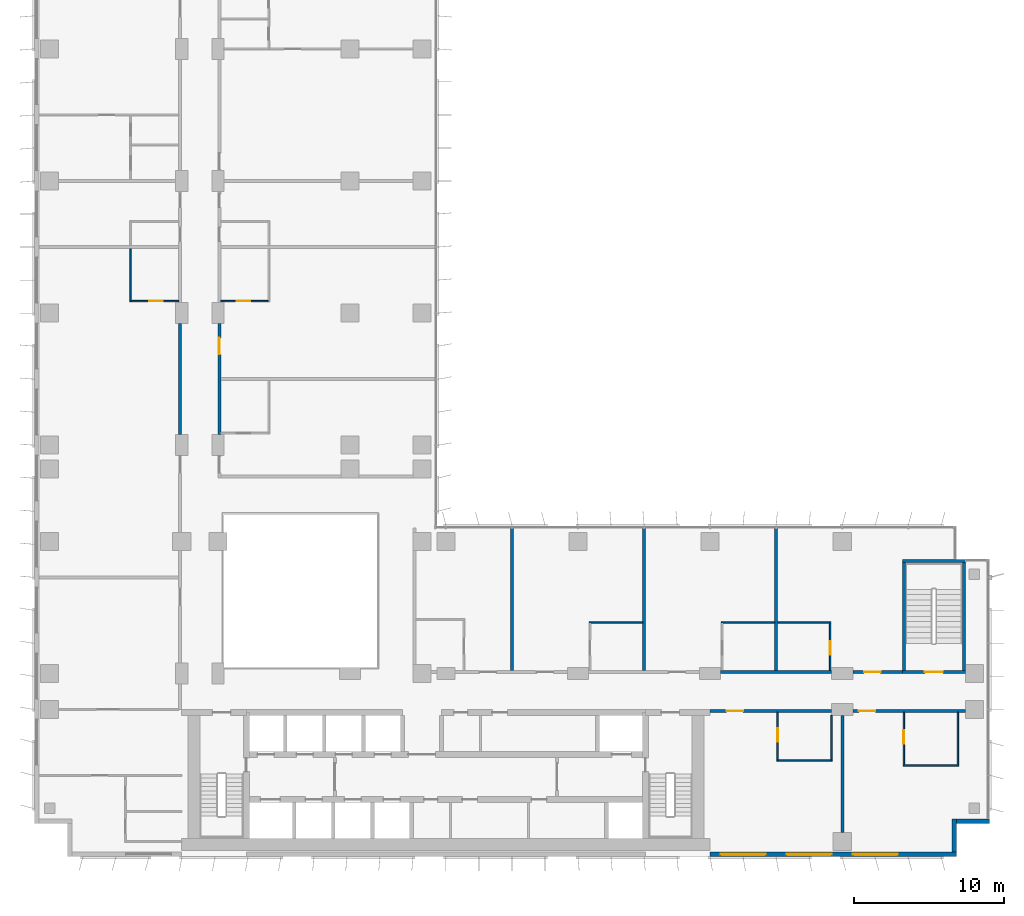
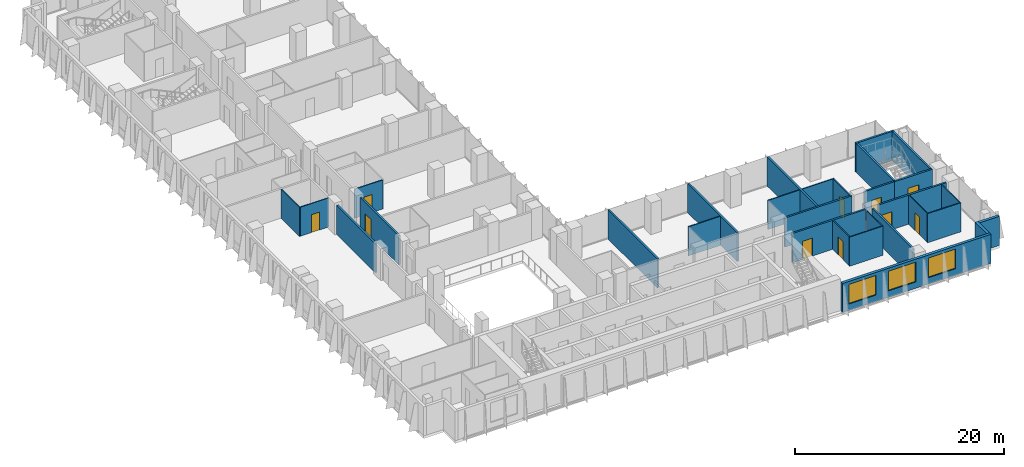
# One storey, part 14 of 22: 30 walls, 10 doors, 3 windows, 13 openings.
"""IFC4 building model written with IfcOpenShell, lengths in metres."""

from ifc_helpers import new_model, si_unit, direction, frame, frame_2d, origin, place, context, subcontext, project, spatial, rectangle, extrude, material, layer, layer_set, type_object, element, fill, save


model = new_model("IFC4")

# Units and contexts
model_context = context("Model", 3, precision=1e-05, world=origin(), true_north=direction((0.0, 1.0)))
body_context = subcontext(model_context, "Body", "Model", "MODEL_VIEW")
ifc_project = project(units=[si_unit("LENGTHUNIT", "METRE"), si_unit("AREAUNIT", "SQUARE_METRE"), si_unit("VOLUMEUNIT", "CUBIC_METRE"), si_unit("PLANEANGLEUNIT", "RADIAN"), si_unit("MASSUNIT", "GRAM", prefix="KILO")], contexts=[model_context])

# Site, building, storey
site_placement = place(None, origin())
site = spatial("IfcSite", under=ifc_project, at=site_placement, CompositionType="ELEMENT")
building_placement = place(site_placement, origin())
building = spatial("IfcBuilding", under=site, at=building_placement, Name="Kemantara Hotel Tower", CompositionType="ELEMENT")
storey_placement = place(building_placement, frame((0.0, 0.0, 125.89990234375)))
storey = spatial("IfcBuildingStorey", under=building, at=storey_placement, Name="L30", CompositionType="ELEMENT", Elevation=125.89990234375)

# Wall, openings, windows
ifc_material_1 = material(Name="Bronze anodised aluminium cladding on insulated steel stud wall", Category="steel")
ifc_layer_1 = layer(ifc_material_1, 0.300048828125)
ifc_layer_set_1 = layer_set([ifc_layer_1], Name="Bronze anodised aluminium cladding on insulated steel stud wall")
wall_type_1 = type_object("IfcWallType", Name="BRONZE METAL-CLAD EXTERNAL WALL 300", PredefinedType="STANDARD", material=ifc_layer_set_1)
wall_1_placement = place(storey_placement, frame((45.0, 0.14990234375, 0.0), z_axis=(0.0, 0.0, 1.0), x_axis=(1.0, 0.0, 0.0)))
wall_1 = element("IfcWall", 1, at=wall_1_placement, inside=storey, type_object=wall_type_1, Name="EXTERNAL WALL L30 T2-R07-3", PredefinedType="STANDARD", context=body_context, shape_type="SweptSolid", body=[
    extrude(rectangle(XDim=16.39990234375, YDim=0.300048828125, at=frame_2d((8.199951171875, 0.0))), origin(), (0.0, 0.0, 1.0), 3.400146484375),
])
opening_1_placement = place(wall_1_placement, frame((0.699951171875, 0.0, 0.75)))
opening_1 = element("IfcOpeningElement", 2, at=opening_1_placement, cuts=wall_1, Name="Opening W1", PredefinedType="OPENING", context=body_context, shape_type="SweptSolid", body=[
    extrude(rectangle(XDim=3.0, YDim=2.300048828125, at=frame_2d((1.5, 1.14990234375))), frame((0.0, 0.159912109375, 0.0), z_axis=(0.0, -1.0, 0.0), x_axis=(1.0, 0.0, 0.0)), (0.0, 0.0, 1.0), 0.320068359375),
])
opening_2_placement = place(wall_1_placement, frame((5.10009765625, 0.0, 0.75)))
opening_2 = element("IfcOpeningElement", 3, at=opening_2_placement, cuts=wall_1, Name="Opening W1", PredefinedType="OPENING", context=body_context, shape_type="SweptSolid", body=[
    extrude(rectangle(XDim=3.0, YDim=2.300048828125, at=frame_2d((1.5, 1.14990234375))), frame((0.0, 0.159912109375, 0.0), z_axis=(0.0, -1.0, 0.0), x_axis=(1.0, 0.0, 0.0)), (0.0, 0.0, 1.0), 0.320068359375),
])
opening_3_placement = place(wall_1_placement, frame((9.5, 0.0, 0.75)))
opening_3 = element("IfcOpeningElement", 4, at=opening_3_placement, cuts=wall_1, Name="Opening W1", PredefinedType="OPENING", context=body_context, shape_type="SweptSolid", body=[
    extrude(rectangle(XDim=3.0, YDim=2.300048828125, at=frame_2d((1.5, 1.14990234375))), frame((0.0, 0.159912109375, 0.0), z_axis=(0.0, -1.0, 0.0), x_axis=(1.0, 0.0, 0.0)), (0.0, 0.0, 1.0), 0.320068359375),
])
ifc_material_2 = material(Name="Low-E tinted double insulated glass in bronze anodised aluminium frame", Category="aluminium")
window_type = type_object("IfcWindowType", Name="CHICAGO WINDOW, TRIPLE PANEL 3000x2300", PartitioningType="TRIPLE_PANEL_VERTICAL", PredefinedType="WINDOW", material=ifc_material_2)
window_1_placement = place(opening_1_placement, origin())
window_1 = element("IfcWindow", 5, at=window_1_placement, inside=storey, type_object=window_type, Name="CHICAGO WINDOW L30 T2-R07-450", OverallHeight=2.300048828125, OverallWidth=3.0, PartitioningType="SINGLE_PANEL", PredefinedType="WINDOW", context=body_context, shape_type="SweptSolid", body=[
    extrude(rectangle(XDim=3.0, YDim=2.300048828125, at=frame_2d((1.5, 1.14990234375))), frame((0.0, 0.030029296875, 0.0), z_axis=(0.0, -1.0, 0.0), x_axis=(1.0, 0.0, 0.0)), (0.0, 0.0, 1.0), 0.06005859375),
])
fill(opening_1, window_1)
window_2_placement = place(opening_2_placement, origin())
window_2 = element("IfcWindow", 6, at=window_2_placement, inside=storey, type_object=window_type, Name="CHICAGO WINDOW L30 T2-R07-494", OverallHeight=2.300048828125, OverallWidth=3.0, PartitioningType="SINGLE_PANEL", PredefinedType="WINDOW", context=body_context, shape_type="SweptSolid", body=[
    extrude(rectangle(XDim=3.0, YDim=2.300048828125, at=frame_2d((1.5, 1.14990234375))), frame((0.0, 0.030029296875, 0.0), z_axis=(0.0, -1.0, 0.0), x_axis=(1.0, 0.0, 0.0)), (0.0, 0.0, 1.0), 0.06005859375),
])
fill(opening_2, window_2)
window_3_placement = place(opening_3_placement, origin())
window_3 = element("IfcWindow", 7, at=window_3_placement, inside=storey, type_object=window_type, Name="CHICAGO WINDOW L30 T2-R07-538", OverallHeight=2.300048828125, OverallWidth=3.0, PartitioningType="SINGLE_PANEL", PredefinedType="WINDOW", context=body_context, shape_type="SweptSolid", body=[
    extrude(rectangle(XDim=3.0, YDim=2.300048828125, at=frame_2d((1.5, 1.14990234375))), frame((0.0, 0.030029296875, 0.0), z_axis=(0.0, -1.0, 0.0), x_axis=(1.0, 0.0, 0.0)), (0.0, 0.0, 1.0), 0.06005859375),
])
fill(opening_3, window_3)

# Walls
wall_2_placement = place(storey_placement, frame((61.25, 0.300048828125, 0.0), z_axis=(0.0, 0.0, 1.0), x_axis=(0.0, 1.0, 0.0)))
element("IfcWall", 8, at=wall_2_placement, inside=storey, type_object=wall_type_1, Name="EXTERNAL WALL L30 T2-R08", PredefinedType="STANDARD", context=body_context, shape_type="SweptSolid", body=[
    extrude(rectangle(XDim=2.199951171875, YDim=0.300048828125, at=frame_2d((1.10009765625, 0.0))), origin(), (0.0, 0.0, 1.0), 3.400146484375),
])
wall_3_placement = place(storey_placement, frame((61.39990234375, 2.35009765625, 0.0), z_axis=(0.0, 0.0, 1.0), x_axis=(1.0, 0.0, 0.0)))
element("IfcWall", 9, at=wall_3_placement, inside=storey, type_object=wall_type_1, Name="EXTERNAL WALL L30 T2-R09", PredefinedType="STANDARD", context=body_context, shape_type="SweptSolid", body=[
    extrude(rectangle(XDim=2.2001953125, YDim=0.300048828125, at=frame_2d((1.10009765625, 0.0))), origin(), (0.0, 0.0, 1.0), 3.400146484375),
])

# Wall, opening, door
ifc_material_3 = material(Name="Gypsum board partition, steel studs and mineral wool, 200 mm", Category="steel")
ifc_layer_2 = layer(ifc_material_3, 0.199951171875)
ifc_layer_set_2 = layer_set([ifc_layer_2], Name="Gypsum board partition, steel studs and mineral wool, 200 mm")
wall_type_2 = type_object("IfcWallType", Name="CORRIDOR WALL 200", PredefinedType="PARTITIONING", material=ifc_layer_set_2)
wall_4_placement = place(storey_placement, frame((53.099853515625, 9.699951171875, 0.0), z_axis=(0.0, 0.0, 1.0), x_axis=(-1.0, 0.0, 0.0)))
wall_4 = element("IfcWall", 10, at=wall_4_placement, inside=storey, type_object=wall_type_2, Name="CORRIDOR WALL 200 001", PredefinedType="PARTITIONING", context=body_context, shape_type="SweptSolid", body=[
    extrude(rectangle(XDim=8.099853515625, YDim=0.199951171875, at=frame_2d((4.0498046875, 0.0))), origin(), (0.0, 0.0, 1.0), 3.400146484375),
])
opening_4_placement = place(wall_4_placement, frame((5.89990234375, 0.0, 0.0)))
opening_4 = element("IfcOpeningElement", 11, at=opening_4_placement, cuts=wall_4, Name="Opening F13-001", PredefinedType="OPENING", context=body_context, shape_type="SweptSolid", body=[
    extrude(rectangle(XDim=1.10009765625, YDim=2.10009765625, at=frame_2d((0.550048828125, 1.050048828125))), frame((0.0, 0.10986328125, 0.0), z_axis=(0.0, -1.0, 0.0), x_axis=(1.0, 0.0, 0.0)), (0.0, 0.0, 1.0), 0.219970703125),
])
ifc_material_4 = material(Name="Hardwood veneer door leaf with steel frame", Category="steel")
door_type_1 = type_object("IfcDoorType", Name="SUITE ENTRANCE DOOR 1100 X 2100 FD30S", OperationType="NOTDEFINED", PredefinedType="DOOR", material=ifc_material_4)
door_1_placement = place(opening_4_placement, origin())
door_1 = element("IfcDoor", 12, at=door_1_placement, inside=storey, type_object=door_type_1, Name="SUITE ENTRANCE DOOR F13-001", OperationType="SINGLE_SWING_RIGHT", OverallHeight=2.10009765625, OverallWidth=1.10009765625, PredefinedType="DOOR", context=body_context, shape_type="SweptSolid", body=[
    extrude(rectangle(XDim=1.10009765625, YDim=2.10009765625, at=frame_2d((0.550048828125, 1.050048828125))), frame((0.0, 0.02490234375, 0.0), z_axis=(0.0, -1.0, 0.0), x_axis=(1.0, 0.0, 0.0)), (0.0, 0.0, 1.0), 0.050048828125),
])
fill(opening_4, door_1)

wall_5_placement = place(storey_placement, frame((62.0, 9.699951171875, 0.0), z_axis=(0.0, 0.0, 1.0), x_axis=(-1.0, 0.0, 0.0)))
wall_5 = element("IfcWall", 13, at=wall_5_placement, inside=storey, type_object=wall_type_2, Name="CORRIDOR WALL 200 002", PredefinedType="PARTITIONING", context=body_context, shape_type="SweptSolid", body=[
    extrude(rectangle(XDim=7.5, YDim=0.199951171875, at=frame_2d((3.75, 0.0))), origin(), (0.0, 0.0, 1.0), 3.400146484375),
])
opening_5_placement = place(wall_5_placement, frame((6.0, 0.0, 0.0)))
opening_5 = element("IfcOpeningElement", 14, at=opening_5_placement, cuts=wall_5, Name="Opening F13-003", PredefinedType="OPENING", context=body_context, shape_type="SweptSolid", body=[
    extrude(rectangle(XDim=1.10009765625, YDim=2.10009765625, at=frame_2d((0.550048828125, 1.050048828125))), frame((0.0, 0.10986328125, 0.0), z_axis=(0.0, -1.0, 0.0), x_axis=(1.0, 0.0, 0.0)), (0.0, 0.0, 1.0), 0.219970703125),
])
door_2_placement = place(opening_5_placement, origin())
door_2 = element("IfcDoor", 15, at=door_2_placement, inside=storey, type_object=door_type_1, Name="SUITE ENTRANCE DOOR F13-003", OperationType="SINGLE_SWING_RIGHT", OverallHeight=2.10009765625, OverallWidth=1.10009765625, PredefinedType="DOOR", context=body_context, shape_type="SweptSolid", body=[
    extrude(rectangle(XDim=1.10009765625, YDim=2.10009765625, at=frame_2d((0.550048828125, 1.050048828125))), frame((0.0, 0.02490234375, 0.0), z_axis=(0.0, -1.0, 0.0), x_axis=(1.0, 0.0, 0.0)), (0.0, 0.0, 1.0), 0.050048828125),
])
fill(opening_5, door_2)

# Wall
wall_6_placement = place(storey_placement, frame((45.7001953125, 12.300048828125, 0.0), z_axis=(0.0, 0.0, 1.0), x_axis=(1.0, 0.0, 0.0)))
element("IfcWall", 16, at=wall_6_placement, inside=storey, type_object=wall_type_2, Name="CORRIDOR WALL 200 007", PredefinedType="PARTITIONING", context=body_context, shape_type="SweptSolid", body=[
    extrude(rectangle(XDim=7.399658203125, YDim=0.199951171875, at=frame_2d((3.69970703125, 0.0))), origin(), (0.0, 0.0, 1.0), 3.400146484375),
])

# Wall, opening, door
wall_7_placement = place(storey_placement, frame((54.5, 12.300048828125, 0.0), z_axis=(0.0, 0.0, 1.0), x_axis=(1.0, 0.0, 0.0)))
wall_7 = element("IfcWall", 17, at=wall_7_placement, inside=storey, type_object=wall_type_2, Name="CORRIDOR WALL 200 008", PredefinedType="PARTITIONING", context=body_context, shape_type="SweptSolid", body=[
    extrude(rectangle(XDim=3.300048828125, YDim=0.199951171875, at=frame_2d((1.64990234375, 0.0))), origin(), (0.0, 0.0, 1.0), 3.400146484375),
])
opening_6_placement = place(wall_7_placement, frame((0.75, 0.0, 0.0)))
opening_6 = element("IfcOpeningElement", 18, at=opening_6_placement, cuts=wall_7, Name="Opening F13-011", PredefinedType="OPENING", context=body_context, shape_type="SweptSolid", body=[
    extrude(rectangle(XDim=1.10009765625, YDim=2.10009765625, at=frame_2d((0.550048828125, 1.050048828125))), frame((0.0, 0.10986328125, 0.0), z_axis=(0.0, -1.0, 0.0), x_axis=(1.0, 0.0, 0.0)), (0.0, 0.0, 1.0), 0.219970703125),
])
door_3_placement = place(opening_6_placement, origin())
door_3 = element("IfcDoor", 19, at=door_3_placement, inside=storey, type_object=door_type_1, Name="SUITE ENTRANCE DOOR F13-011", OperationType="SINGLE_SWING_RIGHT", OverallHeight=2.10009765625, OverallWidth=1.10009765625, PredefinedType="DOOR", context=body_context, shape_type="SweptSolid", body=[
    extrude(rectangle(XDim=1.10009765625, YDim=2.10009765625, at=frame_2d((0.550048828125, 1.050048828125))), frame((0.0, 0.02490234375, 0.0), z_axis=(0.0, -1.0, 0.0), x_axis=(1.0, 0.0, 0.0)), (0.0, 0.0, 1.0), 0.050048828125),
])
fill(opening_6, door_3)

# Wall
wall_8_placement = place(storey_placement, frame((9.699951171875, 28.10009765625, 0.0), z_axis=(0.0, 0.0, 1.0), x_axis=(0.0, 1.0, 0.0)))
element("IfcWall", 20, at=wall_8_placement, inside=storey, type_object=wall_type_2, Name="CORRIDOR WALL 200 017", PredefinedType="PARTITIONING", context=body_context, shape_type="SweptSolid", body=[
    extrude(rectangle(XDim=7.39990234375, YDim=0.199951171875, at=frame_2d((3.699951171875, 0.0))), origin(), (0.0, 0.0, 1.0), 3.400146484375),
])

# Wall, opening, door
wall_9_placement = place(storey_placement, frame((12.300048828125, 35.5, 0.0), z_axis=(0.0, 0.0, 1.0), x_axis=(0.0, -1.0, 0.0)))
wall_9 = element("IfcWall", 21, at=wall_9_placement, inside=storey, type_object=wall_type_2, Name="CORRIDOR WALL 200 030", PredefinedType="PARTITIONING", context=body_context, shape_type="SweptSolid", body=[
    extrude(rectangle(XDim=7.39990234375, YDim=0.199951171875, at=frame_2d((3.699951171875, 0.0))), origin(), (0.0, 0.0, 1.0), 3.400146484375),
])
opening_7_placement = place(wall_9_placement, frame((0.949951171875, 0.0, 0.0)))
opening_7 = element("IfcOpeningElement", 22, at=opening_7_placement, cuts=wall_9, Name="Opening F13-032", PredefinedType="OPENING", context=body_context, shape_type="SweptSolid", body=[
    extrude(rectangle(XDim=1.10009765625, YDim=2.10009765625, at=frame_2d((0.550048828125, 1.050048828125))), frame((0.0, 0.10986328125, 0.0), z_axis=(0.0, -1.0, 0.0), x_axis=(1.0, 0.0, 0.0)), (0.0, 0.0, 1.0), 0.219970703125),
])
door_4_placement = place(opening_7_placement, origin())
door_4 = element("IfcDoor", 23, at=door_4_placement, inside=storey, type_object=door_type_1, Name="SUITE ENTRANCE DOOR F13-032", OperationType="SINGLE_SWING_RIGHT", OverallHeight=2.10009765625, OverallWidth=1.10009765625, PredefinedType="DOOR", context=body_context, shape_type="SweptSolid", body=[
    extrude(rectangle(XDim=1.10009765625, YDim=2.10009765625, at=frame_2d((0.550048828125, 1.050048828125))), frame((0.0, 0.02490234375, 0.0), z_axis=(0.0, -1.0, 0.0), x_axis=(1.0, 0.0, 0.0)), (0.0, 0.0, 1.0), 0.050048828125),
])
fill(opening_7, door_4)

ifc_material_5 = material(Name="Concrete fc 40 MPa", Category="concrete")
ifc_layer_3 = layer(ifc_material_5, 0.199951171875)
ifc_layer_set_3 = layer_set([ifc_layer_3], Name="Concrete fc 40 MPa")
wall_type_3 = type_object("IfcWallType", Name="Concrete stair wall 200 mm", PredefinedType="SHEAR", material=ifc_layer_set_3)
wall_10_placement = place(storey_placement, frame((57.800048828125, 12.300048828125, 0.0), z_axis=(0.0, 0.0, 1.0), x_axis=(1.0, 0.0, 0.0)))
wall_10 = element("IfcWall", 24, at=wall_10_placement, inside=storey, type_object=wall_type_3, Name="Stair ST3 enclosure wall with door", PredefinedType="SHEAR", context=body_context, shape_type="SweptSolid", body=[
    extrude(rectangle(XDim=4.199951171875, YDim=0.199951171875, at=frame_2d((2.10009765625, 0.0))), origin(), (0.0, 0.0, 1.0), 3.400146484375),
])
opening_8_placement = place(wall_10_placement, frame((1.5, 0.0, 0.0)))
opening_8 = element("IfcOpeningElement", 25, at=opening_8_placement, cuts=wall_10, Name="Opening ST3-C", PredefinedType="OPENING", context=body_context, shape_type="SweptSolid", body=[
    extrude(rectangle(XDim=1.199951171875, YDim=2.10009765625, at=frame_2d((0.60009765625, 1.050048828125))), frame((0.0, 0.10986328125, 0.0), z_axis=(0.0, -1.0, 0.0), x_axis=(1.0, 0.0, 0.0)), (0.0, 0.0, 1.0), 0.219970703125),
])
ifc_material_6 = material(Name="Steel fire door", Category="steel")
door_type_2 = type_object("IfcDoorType", Name="Fire door FD90 1200 x 2100", OperationType="NOTDEFINED", PredefinedType="DOOR", material=ifc_material_6)
door_5_placement = place(opening_8_placement, origin())
door_5 = element("IfcDoor", 26, at=door_5_placement, inside=storey, type_object=door_type_2, Name="Stair ST3 door", OperationType="SINGLE_SWING_RIGHT", OverallHeight=2.10009765625, OverallWidth=1.199951171875, PredefinedType="DOOR", context=body_context, shape_type="SweptSolid", body=[
    extrude(rectangle(XDim=1.199951171875, YDim=2.10009765625, at=frame_2d((0.60009765625, 1.050048828125))), frame((0.0, 0.02490234375, 0.0), z_axis=(0.0, -1.0, 0.0), x_axis=(1.0, 0.0, 0.0)), (0.0, 0.0, 1.0), 0.050048828125),
])
fill(opening_8, door_5)

# Walls
wall_11_placement = place(storey_placement, frame((57.800048828125, 19.699951171875, 0.0), z_axis=(0.0, 0.0, 1.0), x_axis=(1.0, 0.0, 0.0)))
element("IfcWall", 27, at=wall_11_placement, inside=storey, type_object=wall_type_3, Name="Stair ST3 enclosure wall N", PredefinedType="SHEAR", context=body_context, shape_type="SweptSolid", body=[
    extrude(rectangle(XDim=4.199951171875, YDim=0.199951171875, at=frame_2d((2.10009765625, 0.0))), origin(), (0.0, 0.0, 1.0), 3.400146484375),
])
for number, where, z_axis, x_axis, name in (
    (28, (57.89990234375, 12.39990234375, 0.0), (0.0, 0.0, 1.0), (0.0, 1.0, 0.0), "Stair ST3 enclosure wall W"),
    (29, (61.89990234375, 12.39990234375, 0.0), (0.0, 0.0, 1.0), (0.0, 1.0, 0.0), "Stair ST3 enclosure wall E"),
):
    element("IfcWall", number, at=place(storey_placement, frame(where, z_axis=z_axis, x_axis=x_axis)), inside=storey, type_object=wall_type_3, Name=name, PredefinedType="SHEAR", context=body_context, shape_type="SweptSolid", body=[
        extrude(rectangle(XDim=7.2001953125, YDim=0.199951171875, at=frame_2d((3.60009765625, 0.0))), origin(), (0.0, 0.0, 1.0), 3.400146484375),
    ])
ifc_layer_4 = layer(ifc_material_3, 0.199951171875)
ifc_layer_set_4 = layer_set([ifc_layer_4], Name="Gypsum board partition, steel studs and mineral wool, 200 mm")
wall_type_4 = type_object("IfcWallType", Name="GUEST ROOM PARTY WALL 200", PredefinedType="PARTITIONING", material=ifc_layer_set_4)
wall_12_placement = place(storey_placement, frame((53.800048828125, 1.60009765625, 0.0), z_axis=(0.0, 0.0, 1.0), x_axis=(0.0, 1.0, 0.0)))
element("IfcWall", 30, at=wall_12_placement, inside=storey, type_object=wall_type_4, Name="GUEST ROOM PARTY WALL 200 003", PredefinedType="PARTITIONING", context=body_context, shape_type="SweptSolid", body=[
    extrude(rectangle(XDim=7.7998046875, YDim=0.199951171875, at=frame_2d((3.89990234375, 0.0))), origin(), (0.0, 0.0, 1.0), 3.400146484375),
])
for number, where, z_axis, x_axis, name in (
    (31, (31.800048828125, 12.39990234375, 0.0), (0.0, 0.0, 1.0), (0.0, 1.0, 0.0), "GUEST ROOM PARTY WALL 200 011"),
    (32, (40.60009765625, 12.39990234375, 0.0), (0.0, 0.0, 1.0), (0.0, 1.0, 0.0), "GUEST ROOM PARTY WALL 200 012"),
    (33, (49.39990234375, 12.39990234375, 0.0), (0.0, 0.0, 1.0), (0.0, 1.0, 0.0), "GUEST ROOM PARTY WALL 200 013"),
):
    element("IfcWall", number, at=place(storey_placement, frame(where, z_axis=z_axis, x_axis=x_axis)), inside=storey, type_object=wall_type_4, Name=name, PredefinedType="PARTITIONING", context=body_context, shape_type="SweptSolid", body=[
        extrude(rectangle(XDim=9.47021484375, YDim=0.199951171875, at=frame_2d((4.735107421875, 0.0))), origin(), (0.0, 0.0, 1.0), 3.400146484375),
    ])
ifc_material_7 = material(Name="Gypsum board partition on steel studs, 100 mm", Category="steel")
ifc_layer_5 = layer(ifc_material_7, 0.10009765625)
ifc_layer_set_5 = layer_set([ifc_layer_5], Name="Gypsum board partition on steel studs, 100 mm")
wall_type_5 = type_object("IfcWallType", Name="ROOM PARTITION 100", PredefinedType="PARTITIONING", material=ifc_layer_set_5)
wall_13_placement = place(storey_placement, frame((49.449951171875, 6.39990234375, 0.0), z_axis=(0.0, 0.0, 1.0), x_axis=(1.0, 0.0, 0.0)))
element("IfcWall", 34, at=wall_13_placement, inside=storey, type_object=wall_type_5, Name="ROOM PARTITION 100 041", PredefinedType="PARTITIONING", context=body_context, shape_type="SweptSolid", body=[
    extrude(rectangle(XDim=3.699951171875, YDim=0.10009765625, at=frame_2d((1.85009765625, 0.0))), origin(), (0.0, 0.0, 1.0), 3.400146484375),
])

# Wall, opening, door
wall_14_placement = place(storey_placement, frame((49.5, 9.60009765625, 0.0), z_axis=(0.0, 0.0, 1.0), x_axis=(0.0, -1.0, 0.0)))
wall_14 = element("IfcWall", 35, at=wall_14_placement, inside=storey, type_object=wall_type_5, Name="ROOM PARTITION 100 042", PredefinedType="PARTITIONING", context=body_context, shape_type="SweptSolid", body=[
    extrude(rectangle(XDim=3.150146484375, YDim=0.10009765625, at=frame_2d((1.5751953125, 0.0))), origin(), (0.0, 0.0, 1.0), 3.400146484375),
])
opening_9_placement = place(wall_14_placement, frame((1.050048828125, 0.0, 0.0)))
opening_9 = element("IfcOpeningElement", 36, at=opening_9_placement, cuts=wall_14, Name="Opening F13-002", PredefinedType="OPENING", context=body_context, shape_type="SweptSolid", body=[
    extrude(rectangle(XDim=0.89990234375, YDim=2.10009765625, at=frame_2d((0.449951171875, 1.050048828125))), frame((0.0, 0.06005859375, 0.0), z_axis=(0.0, -1.0, 0.0), x_axis=(1.0, 0.0, 0.0)), (0.0, 0.0, 1.0), 0.1201171875),
])
door_type_3 = type_object("IfcDoorType", Name="BATHROOM DOOR 900 X 2100", OperationType="NOTDEFINED", PredefinedType="DOOR", material=ifc_material_4)
door_6_placement = place(opening_9_placement, origin())
door_6 = element("IfcDoor", 37, at=door_6_placement, inside=storey, type_object=door_type_3, Name="BATHROOM DOOR F13-002", OperationType="SINGLE_SWING_LEFT", OverallHeight=2.10009765625, OverallWidth=0.89990234375, PredefinedType="DOOR", context=body_context, shape_type="SweptSolid", body=[
    extrude(rectangle(XDim=0.89990234375, YDim=2.10009765625, at=frame_2d((0.449951171875, 1.050048828125))), frame((0.0, 0.02490234375, 0.0), z_axis=(0.0, -1.0, 0.0), x_axis=(1.0, 0.0, 0.0)), (0.0, 0.0, 1.0), 0.050048828125),
])
fill(opening_9, door_6)

# Walls
wall_15_placement = place(storey_placement, frame((53.10009765625, 6.449951171875, 0.0), z_axis=(0.0, 0.0, 1.0), x_axis=(0.0, 1.0, 0.0)))
element("IfcWall", 38, at=wall_15_placement, inside=storey, type_object=wall_type_5, Name="ROOM PARTITION 100 043", PredefinedType="PARTITIONING", context=body_context, shape_type="SweptSolid", body=[
    extrude(rectangle(XDim=2.949951171875, YDim=0.10009765625, at=frame_2d((1.47509765625, 0.0))), origin(), (0.0, 0.0, 1.0), 3.400146484375),
])
wall_16_placement = place(storey_placement, frame((57.85009765625, 6.050048828125, 0.0), z_axis=(0.0, 0.0, 1.0), x_axis=(1.0, 0.0, 0.0)))
element("IfcWall", 39, at=wall_16_placement, inside=storey, type_object=wall_type_5, Name="ROOM PARTITION 100 044", PredefinedType="PARTITIONING", context=body_context, shape_type="SweptSolid", body=[
    extrude(rectangle(XDim=3.699951171875, YDim=0.10009765625, at=frame_2d((1.85009765625, 0.0))), origin(), (0.0, 0.0, 1.0), 3.400146484375),
])

# Wall, opening, door
wall_17_placement = place(storey_placement, frame((57.89990234375, 9.60009765625, 0.0), z_axis=(0.0, 0.0, 1.0), x_axis=(0.0, -1.0, 0.0)))
wall_17 = element("IfcWall", 40, at=wall_17_placement, inside=storey, type_object=wall_type_5, Name="ROOM PARTITION 100 045", PredefinedType="PARTITIONING", context=body_context, shape_type="SweptSolid", body=[
    extrude(rectangle(XDim=3.5, YDim=0.10009765625, at=frame_2d((1.75, 0.0))), origin(), (0.0, 0.0, 1.0), 3.400146484375),
])
opening_10_placement = place(wall_17_placement, frame((1.199951171875, 0.0, 0.0)))
opening_10 = element("IfcOpeningElement", 41, at=opening_10_placement, cuts=wall_17, Name="Opening F13-004", PredefinedType="OPENING", context=body_context, shape_type="SweptSolid", body=[
    extrude(rectangle(XDim=0.89990234375, YDim=2.10009765625, at=frame_2d((0.449951171875, 1.050048828125))), frame((0.0, 0.06005859375, 0.0), z_axis=(0.0, -1.0, 0.0), x_axis=(1.0, 0.0, 0.0)), (0.0, 0.0, 1.0), 0.1201171875),
])
door_7_placement = place(opening_10_placement, origin())
door_7 = element("IfcDoor", 42, at=door_7_placement, inside=storey, type_object=door_type_3, Name="BATHROOM DOOR F13-004", OperationType="SINGLE_SWING_LEFT", OverallHeight=2.10009765625, OverallWidth=0.89990234375, PredefinedType="DOOR", context=body_context, shape_type="SweptSolid", body=[
    extrude(rectangle(XDim=0.89990234375, YDim=2.10009765625, at=frame_2d((0.449951171875, 1.050048828125))), frame((0.0, 0.02490234375, 0.0), z_axis=(0.0, -1.0, 0.0), x_axis=(1.0, 0.0, 0.0)), (0.0, 0.0, 1.0), 0.050048828125),
])
fill(opening_10, door_7)

# Walls
wall_18_placement = place(storey_placement, frame((61.5, 6.10009765625, 0.0), z_axis=(0.0, 0.0, 1.0), x_axis=(0.0, 1.0, 0.0)))
element("IfcWall", 43, at=wall_18_placement, inside=storey, type_object=wall_type_5, Name="ROOM PARTITION 100 046", PredefinedType="PARTITIONING", context=body_context, shape_type="SweptSolid", body=[
    extrude(rectangle(XDim=3.5, YDim=0.10009765625, at=frame_2d((1.75, 0.0))), origin(), (0.0, 0.0, 1.0), 3.400146484375),
])
for number, where, z_axis, x_axis, name in (
    (44, (36.949951171875, 15.60009765625, 0.0), (0.0, 0.0, 1.0), (1.0, 0.0, 0.0), "ROOM PARTITION 100 049"),
    (45, (45.75, 15.60009765625, 0.0), (0.0, 0.0, 1.0), (1.0, 0.0, 0.0), "ROOM PARTITION 100 050"),
    (46, (49.5, 15.60009765625, 0.0), (0.0, 0.0, 1.0), (1.0, 0.0, 0.0), "ROOM PARTITION 100 051"),
):
    element("IfcWall", number, at=place(storey_placement, frame(where, z_axis=z_axis, x_axis=x_axis)), inside=storey, type_object=wall_type_5, Name=name, PredefinedType="PARTITIONING", context=body_context, shape_type="SweptSolid", body=[
        extrude(rectangle(XDim=3.550048828125, YDim=0.10009765625, at=frame_2d((1.77490234375, 0.0))), origin(), (0.0, 0.0, 1.0), 3.400146484375),
    ])

# Wall, opening, door
wall_19_placement = place(storey_placement, frame((53.0, 12.39990234375, 0.0), z_axis=(0.0, 0.0, 1.0), x_axis=(0.0, 1.0, 0.0)))
wall_19 = element("IfcWall", 47, at=wall_19_placement, inside=storey, type_object=wall_type_5, Name="ROOM PARTITION 100 054", PredefinedType="PARTITIONING", context=body_context, shape_type="SweptSolid", body=[
    extrude(rectangle(XDim=3.150146484375, YDim=0.10009765625, at=frame_2d((1.5751953125, 0.0))), origin(), (0.0, 0.0, 1.0), 3.400146484375),
])
opening_11_placement = place(wall_19_placement, frame((1.050048828125, 0.0, 0.0)))
opening_11 = element("IfcOpeningElement", 48, at=opening_11_placement, cuts=wall_19, Name="Opening F13-012", PredefinedType="OPENING", context=body_context, shape_type="SweptSolid", body=[
    extrude(rectangle(XDim=0.89990234375, YDim=2.10009765625, at=frame_2d((0.449951171875, 1.050048828125))), frame((0.0, 0.06005859375, 0.0), z_axis=(0.0, -1.0, 0.0), x_axis=(1.0, 0.0, 0.0)), (0.0, 0.0, 1.0), 0.1201171875),
])
door_8_placement = place(opening_11_placement, origin())
door_8 = element("IfcDoor", 49, at=door_8_placement, inside=storey, type_object=door_type_3, Name="BATHROOM DOOR F13-012", OperationType="SINGLE_SWING_LEFT", OverallHeight=2.10009765625, OverallWidth=0.89990234375, PredefinedType="DOOR", context=body_context, shape_type="SweptSolid", body=[
    extrude(rectangle(XDim=0.89990234375, YDim=2.10009765625, at=frame_2d((0.449951171875, 1.050048828125))), frame((0.0, 0.02490234375, 0.0), z_axis=(0.0, -1.0, 0.0), x_axis=(1.0, 0.0, 0.0)), (0.0, 0.0, 1.0), 0.050048828125),
])
fill(opening_11, door_8)

# Wall
wall_20_placement = place(storey_placement, frame((6.39990234375, 36.949951171875, 0.0), z_axis=(0.0, 0.0, 1.0), x_axis=(0.0, 1.0, 0.0)))
element("IfcWall", 50, at=wall_20_placement, inside=storey, type_object=wall_type_5, Name="ROOM PARTITION 100 061", PredefinedType="PARTITIONING", context=body_context, shape_type="SweptSolid", body=[
    extrude(rectangle(XDim=3.550048828125, YDim=0.10009765625, at=frame_2d((1.77490234375, 0.0))), origin(), (0.0, 0.0, 1.0), 3.400146484375),
])

# Wall, opening, door
wall_21_placement = place(storey_placement, frame((6.449951171875, 37.0, 0.0), z_axis=(0.0, 0.0, 1.0), x_axis=(1.0, 0.0, 0.0)))
wall_21 = element("IfcWall", 51, at=wall_21_placement, inside=storey, type_object=wall_type_5, Name="ROOM PARTITION 100 065", PredefinedType="PARTITIONING", context=body_context, shape_type="SweptSolid", body=[
    extrude(rectangle(XDim=3.150146484375, YDim=0.10009765625, at=frame_2d((1.5751953125, 0.0))), origin(), (0.0, 0.0, 1.0), 3.400146484375),
])
opening_12_placement = place(wall_21_placement, frame((1.199951171875, 0.0, 0.0)))
opening_12 = element("IfcOpeningElement", 52, at=opening_12_placement, cuts=wall_21, Name="Opening F13-019", PredefinedType="OPENING", context=body_context, shape_type="SweptSolid", body=[
    extrude(rectangle(XDim=0.89990234375, YDim=2.10009765625, at=frame_2d((0.449951171875, 1.050048828125))), frame((0.0, 0.06005859375, 0.0), z_axis=(0.0, -1.0, 0.0), x_axis=(1.0, 0.0, 0.0)), (0.0, 0.0, 1.0), 0.1201171875),
])
door_9_placement = place(opening_12_placement, origin())
door_9 = element("IfcDoor", 53, at=door_9_placement, inside=storey, type_object=door_type_3, Name="BATHROOM DOOR F13-019", OperationType="SINGLE_SWING_RIGHT", OverallHeight=2.10009765625, OverallWidth=0.89990234375, PredefinedType="DOOR", context=body_context, shape_type="SweptSolid", body=[
    extrude(rectangle(XDim=0.89990234375, YDim=2.10009765625, at=frame_2d((0.449951171875, 1.050048828125))), frame((0.0, 0.02490234375, 0.0), z_axis=(0.0, -1.0, 0.0), x_axis=(1.0, 0.0, 0.0)), (0.0, 0.0, 1.0), 0.050048828125),
])
fill(opening_12, door_9)

wall_22_placement = place(storey_placement, frame((12.39990234375, 37.0, 0.0), z_axis=(0.0, 0.0, 1.0), x_axis=(1.0, 0.0, 0.0)))
wall_22 = element("IfcWall", 54, at=wall_22_placement, inside=storey, type_object=wall_type_5, Name="ROOM PARTITION 100 066", PredefinedType="PARTITIONING", context=body_context, shape_type="SweptSolid", body=[
    extrude(rectangle(XDim=3.150146484375, YDim=0.10009765625, at=frame_2d((1.5751953125, 0.0))), origin(), (0.0, 0.0, 1.0), 3.400146484375),
])
opening_13_placement = place(wall_22_placement, frame((1.050048828125, 0.0, 0.0)))
opening_13 = element("IfcOpeningElement", 55, at=opening_13_placement, cuts=wall_22, Name="Opening F13-033", PredefinedType="OPENING", context=body_context, shape_type="SweptSolid", body=[
    extrude(rectangle(XDim=0.89990234375, YDim=2.10009765625, at=frame_2d((0.449951171875, 1.050048828125))), frame((0.0, 0.06005859375, 0.0), z_axis=(0.0, -1.0, 0.0), x_axis=(1.0, 0.0, 0.0)), (0.0, 0.0, 1.0), 0.1201171875),
])
door_10_placement = place(opening_13_placement, origin())
door_10 = element("IfcDoor", 56, at=door_10_placement, inside=storey, type_object=door_type_3, Name="BATHROOM DOOR F13-033", OperationType="SINGLE_SWING_LEFT", OverallHeight=2.10009765625, OverallWidth=0.89990234375, PredefinedType="DOOR", context=body_context, shape_type="SweptSolid", body=[
    extrude(rectangle(XDim=0.89990234375, YDim=2.10009765625, at=frame_2d((0.449951171875, 1.050048828125))), frame((0.0, 0.02490234375, 0.0), z_axis=(0.0, -1.0, 0.0), x_axis=(1.0, 0.0, 0.0)), (0.0, 0.0, 1.0), 0.050048828125),
])
fill(opening_13, door_10)

save(model, "model.ifc")
